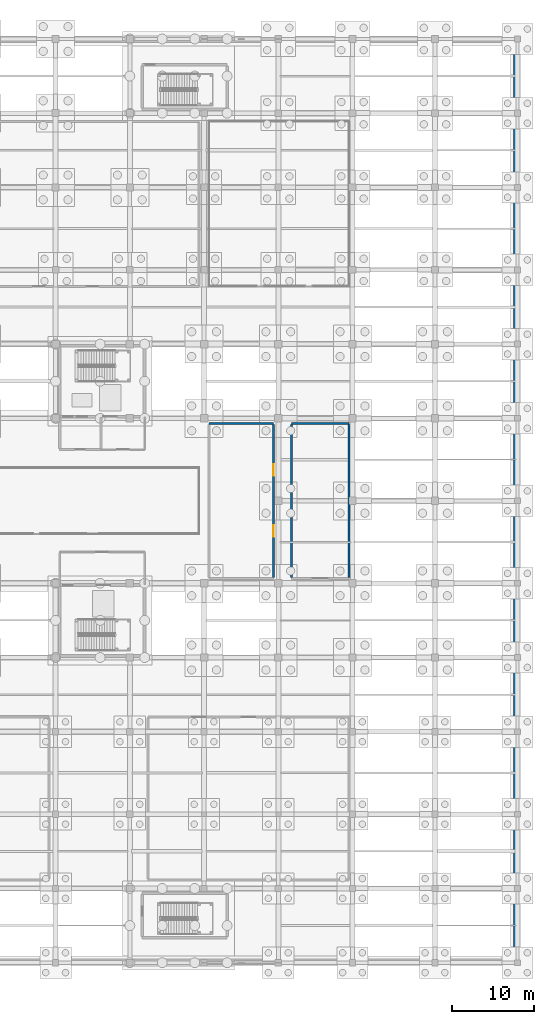
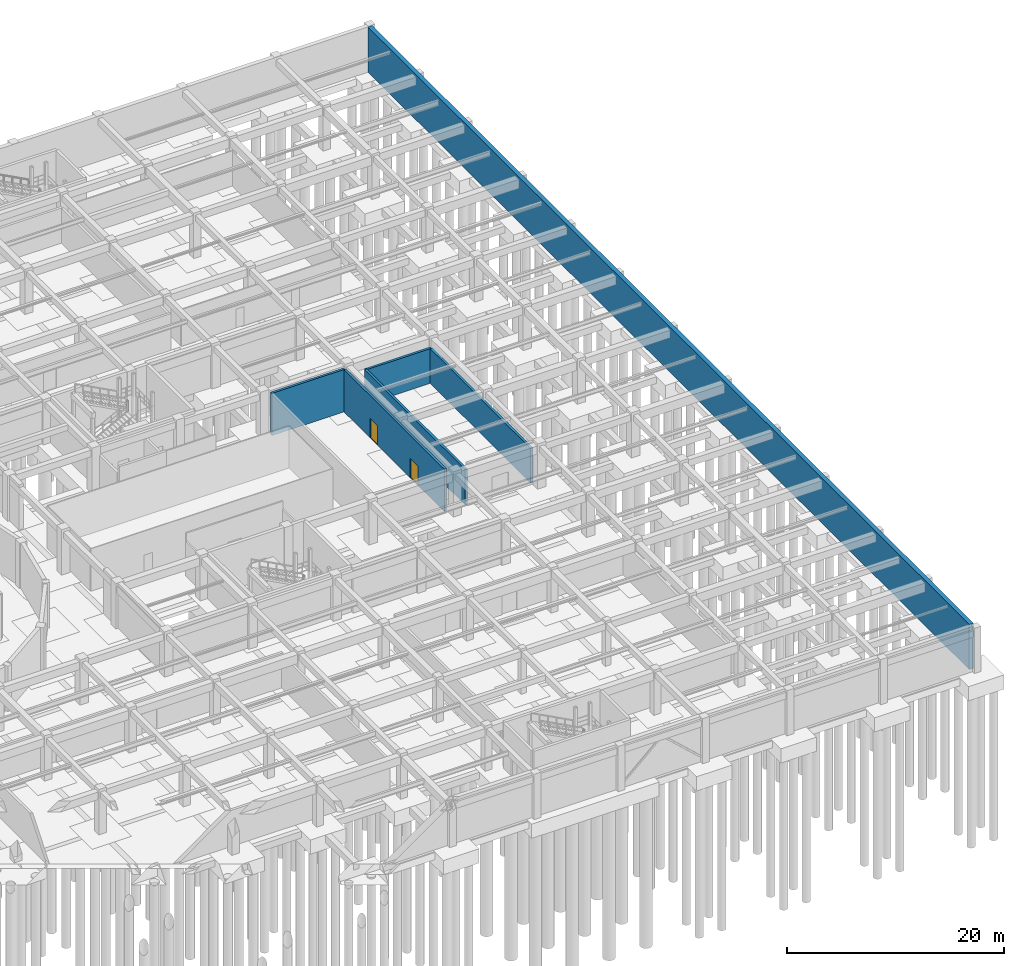
# One storey, part 49 of 62: 6 walls, 2 doors, 2 openings.
"""IFC4 building model written with IfcOpenShell, lengths in metres."""

from ifc_helpers import new_model, si_unit, direction, frame, frame_2d, origin, place, context, subcontext, project, spatial, rectangle, extrude, material, layer, layer_set, type_object, element, fill, save


model = new_model("IFC4")

# Units and contexts
model_context = context("Model", 3, precision=1e-05, world=origin(), true_north=direction((0.0, 1.0)))
body_context = subcontext(model_context, "Body", "Model", "MODEL_VIEW")
ifc_project = project(units=[si_unit("LENGTHUNIT", "METRE"), si_unit("AREAUNIT", "SQUARE_METRE"), si_unit("VOLUMEUNIT", "CUBIC_METRE"), si_unit("PLANEANGLEUNIT", "RADIAN"), si_unit("MASSUNIT", "GRAM", prefix="KILO")], contexts=[model_context])

# Site, building, storey
site_placement = place(None, origin())
site = spatial("IfcSite", under=ifc_project, at=site_placement, CompositionType="ELEMENT")
building_placement = place(site_placement, origin())
building = spatial("IfcBuilding", under=site, at=building_placement, Name="Miravela Opera House", CompositionType="ELEMENT")
storey_placement = place(building_placement, frame((0.0, 0.0, -5.10009765625)))
storey = spatial("IfcBuildingStorey", under=building, at=storey_placement, Name="B01", CompositionType="ELEMENT", Elevation=-5.10009765625)

# Wall
ifc_material_1 = material(Name="Firefighting lobby compartment wall")
ifc_layer_1 = layer(ifc_material_1, 0.25)
ifc_layer_set_1 = layer_set([ifc_layer_1])
wall_type_1 = type_object("IfcWallType", Name="ARC-PT-220", PredefinedType="PARTITIONING", material=ifc_layer_set_1)
wall_1_placement = place(storey_placement, frame((126.60009765625, 65.39990234375, 0.0), z_axis=(0.0, 0.0, 1.0), x_axis=(1.0, 0.0, 0.0)))
element("IfcWall", 1, at=wall_1_placement, inside=storey, type_object=wall_type_1, Name="Musical Instrument Climate Vault Partition North", PredefinedType="PARTITIONING", context=body_context, shape_type="SweptSolid", body=[
    extrude(rectangle(XDim=7.7998046875, YDim=0.25, at=frame_2d((3.89990234375, 0.0))), origin(), (0.0, 0.0, 1.0), 4.780029296875),
])

# Wall, openings, doors
wall_2_placement = place(storey_placement, frame((134.39990234375, 46.72509765625, 0.0), z_axis=(0.0, 0.0, 1.0), x_axis=(0.0, 1.0, 0.0)))
wall_2 = element("IfcWall", 2, at=wall_2_placement, inside=storey, type_object=wall_type_1, Name="Musical Instrument Climate Vault Partition East", PredefinedType="PARTITIONING", context=body_context, shape_type="SweptSolid", body=[
    extrude(rectangle(XDim=18.5498046875, YDim=0.25, at=frame_2d((9.27490234375, 0.0))), origin(), (0.0, 0.0, 1.0), 4.780029296875),
])
opening_1_placement = place(wall_2_placement, frame((4.9052734375, 0.0, 0.0)))
opening_1 = element("IfcOpeningElement", 3, at=opening_1_placement, cuts=wall_2, Name="Opening FD-03", PredefinedType="OPENING", context=body_context, shape_type="SweptSolid", body=[
    extrude(rectangle(XDim=1.39990234375, YDim=2.199951171875, at=frame_2d((0.699951171875, 1.10009765625))), frame((0.0, 0.135009765625, 0.0), z_axis=(0.0, -1.0, 0.0), x_axis=(1.0, 0.0, 0.0)), (0.0, 0.0, 1.0), 0.27001953125),
])
opening_2_placement = place(wall_2_placement, frame((12.326904296875, 0.0, 0.0)))
opening_2 = element("IfcOpeningElement", 4, at=opening_2_placement, cuts=wall_2, Name="Opening FD-03", PredefinedType="OPENING", context=body_context, shape_type="SweptSolid", body=[
    extrude(rectangle(XDim=1.39990234375, YDim=2.199951171875, at=frame_2d((0.699951171875, 1.10009765625))), frame((0.0, 0.135009765625, 0.0), z_axis=(0.0, -1.0, 0.0), x_axis=(1.0, 0.0, 0.0)), (0.0, 0.0, 1.0), 0.27001953125),
])
ifc_material_2 = material(Name="Fire-rated lobby/archive double door")
door_type = type_object("IfcDoorType", Name="ARC-FD-1400X2200", OperationType="NOTDEFINED", PredefinedType="DOOR", material=ifc_material_2)
door_1_placement = place(opening_1_placement, origin())
door_1 = element("IfcDoor", 5, at=door_1_placement, inside=storey, type_object=door_type, Name="Musical Instrument Climate Vault Entry Door IDR-B01-0073", OperationType="DOUBLE_DOOR_SINGLE_SWING", OverallHeight=2.199951171875, OverallWidth=1.39990234375, PredefinedType="DOOR", context=body_context, shape_type="SweptSolid", body=[
    extrude(rectangle(XDim=1.39990234375, YDim=2.199951171875, at=frame_2d((0.699951171875, 1.10009765625))), frame((0.0, 0.02490234375, 0.0), z_axis=(0.0, -1.0, 0.0), x_axis=(1.0, 0.0, 0.0)), (0.0, 0.0, 1.0), 0.050048828125),
])
fill(opening_1, door_1)
door_2_placement = place(opening_2_placement, origin())
door_2 = element("IfcDoor", 6, at=door_2_placement, inside=storey, type_object=door_type, Name="Musical Instrument Climate Vault Secondary Exit Door IDR-B01-0074", OperationType="DOUBLE_DOOR_SINGLE_SWING", OverallHeight=2.199951171875, OverallWidth=1.39990234375, PredefinedType="DOOR", context=body_context, shape_type="SweptSolid", body=[
    extrude(rectangle(XDim=1.39990234375, YDim=2.199951171875, at=frame_2d((0.699951171875, 1.10009765625))), frame((0.0, 0.02490234375, 0.0), z_axis=(0.0, -1.0, 0.0), x_axis=(1.0, 0.0, 0.0)), (0.0, 0.0, 1.0), 0.050048828125),
])
fill(opening_2, door_2)

# Walls
wall_3_placement = place(storey_placement, frame((136.60009765625, 65.39990234375, 0.0), z_axis=(0.0, 0.0, 1.0), x_axis=(1.0, 0.0, 0.0)))
element("IfcWall", 7, at=wall_3_placement, inside=storey, type_object=wall_type_1, Name="Stage Wagon and Scenic Store Partition North", PredefinedType="PARTITIONING", context=body_context, shape_type="SweptSolid", body=[
    extrude(rectangle(XDim=7.0, YDim=0.25, at=frame_2d((3.5, 0.0))), origin(), (0.0, 0.0, 1.0), 3.91015625),
])
wall_4_placement = place(storey_placement, frame((136.60009765625, 46.72509765625, 0.0), z_axis=(0.0, 0.0, 1.0), x_axis=(0.0, 1.0, 0.0)))
element("IfcWall", 8, at=wall_4_placement, inside=storey, type_object=wall_type_1, Name="Stage Wagon and Scenic Store Partition West", PredefinedType="PARTITIONING", context=body_context, shape_type="SweptSolid", body=[
    extrude(rectangle(XDim=18.5498046875, YDim=0.25, at=frame_2d((9.27490234375, 0.0))), origin(), (0.0, 0.0, 1.0), 4.010009765625),
])
wall_5_placement = place(storey_placement, frame((143.60009765625, 46.72509765625, 0.0), z_axis=(0.0, 0.0, 1.0), x_axis=(0.0, 1.0, 0.0)))
element("IfcWall", 9, at=wall_5_placement, inside=storey, type_object=wall_type_1, Name="Stage Wagon and Scenic Store Partition East", PredefinedType="PARTITIONING", context=body_context, shape_type="SweptSolid", body=[
    extrude(rectangle(XDim=18.5498046875, YDim=0.25, at=frame_2d((9.27490234375, 0.0))), origin(), (0.0, 0.0, 1.0), 3.91015625),
])
ifc_material_3 = material(Name="Concrete C40/50", Category="concrete")
ifc_layer_2 = layer(ifc_material_3, 0.449951171875)
ifc_layer_set_2 = layer_set([ifc_layer_2])
wall_type_2 = type_object("IfcWallType", Name="STR-WALL-RET-450", PredefinedType="SOLIDWALL", material=ifc_layer_set_2)
wall_6_placement = place(storey_placement, frame((163.77490234375, 0.449951171875, 0.0), z_axis=(0.0, 0.0, 1.0), x_axis=(0.0, 1.0, 0.0)))
element("IfcWall", 10, at=wall_6_placement, inside=storey, type_object=wall_type_2, Name="Basement Retaining Wall B01-RET-E1", PredefinedType="SOLIDWALL", context=body_context, shape_type="SweptSolid", body=[
    extrude(rectangle(XDim=111.10009765625, YDim=0.449951171875, at=frame_2d((55.550048828125, 0.0))), origin(), (0.0, 0.0, 1.0), 5.10009765625),
])

save(model, "model.ifc")
